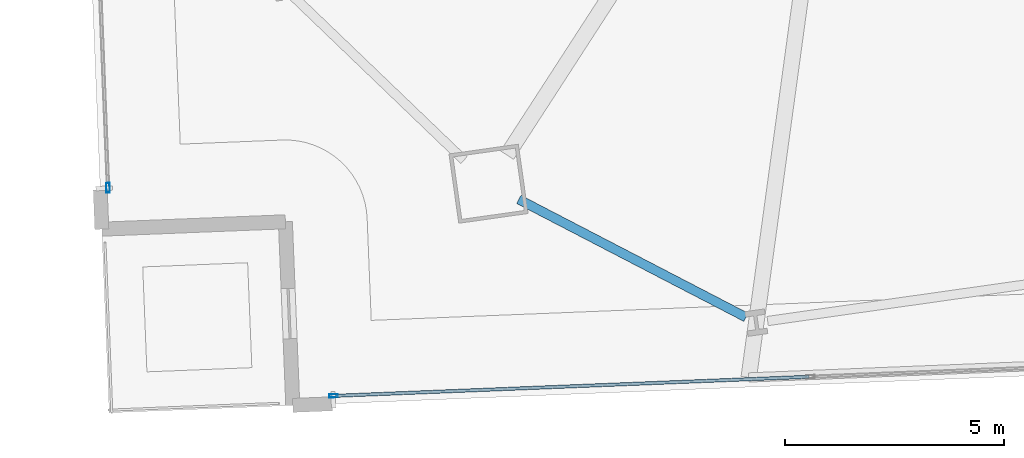
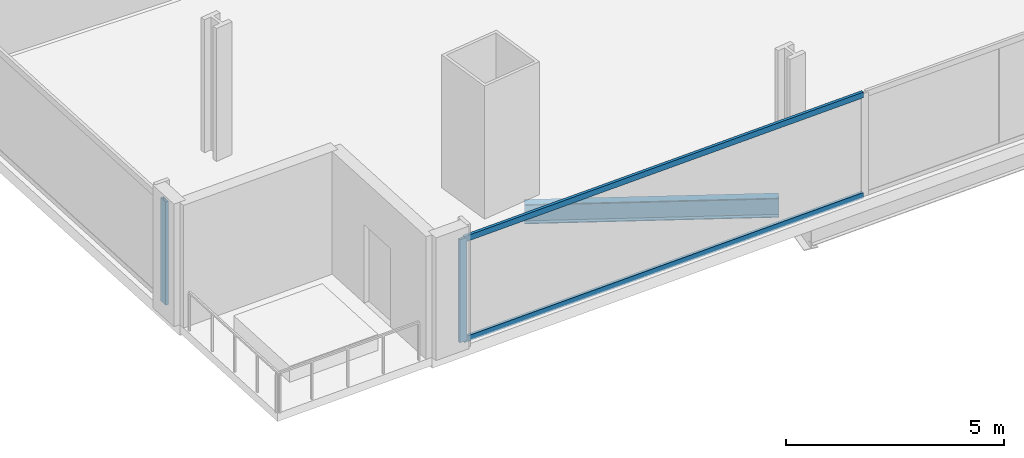
# One storey, part 2 of 32: 4 members, 1 beam, 2 elements without a shape of their own.
"""IFC4 building model written with IfcOpenShell, lengths in metres."""

import ifcopenshell
import ifcopenshell.guid

model = None  # the IFC model being written
_history = None  # IfcOwnerHistory: only IFC2X3 demands one
_inside = {}  # id of a spatial element -> (the spatial element, [elements in it])
_under = {}  # id of a project, library or spatial element -> (it, [spatial elements below it])
_declared = {}  # id of a project -> (the project, [libraries it declares])
_typed = {}  # id of a type object -> (the type object, [elements of that type])
_made_of = {}  # id of a material, layer set ... -> (it, [elements and type objects made of it])


def new_model(schema):
    """Start an empty IFC model of exactly this schema.

    Asked for "IFC4X3", IfcOpenShell would pick the latest addendum, in which some entities
    have other attributes; the version numbers below select the first issue.
    IFC2X3 requires an IfcOwnerHistory on every rooted entity: one is made here for all.
    """
    global model, _history
    if schema == "IFC4X3":
        model = ifcopenshell.file(schema_version=(4, 3, 0, 0))
    else:
        model = ifcopenshell.file(schema=schema)
    _inside.clear()
    _under.clear()
    _declared.clear()
    _typed.clear()
    _made_of.clear()
    _history = None
    if model.schema == "IFC2X3":
        org = make("IfcOrganization", Name="unknown")
        user = make(
            "IfcPersonAndOrganization",
            ThePerson=make("IfcPerson", FamilyName="unknown"),
            TheOrganization=org,
        )
        app = make(
            "IfcApplication",
            ApplicationDeveloper=org,
            Version="unknown",
            ApplicationFullName="unknown",
            ApplicationIdentifier="unknown",
        )
        _history = make(
            "IfcOwnerHistory",
            OwningUser=user,
            OwningApplication=app,
            ChangeAction="ADDED",
            CreationDate=0,
        )
    return model


def make(cls, **values):
    """One entity of the class cls with the attributes given. An attribute that is None is left unset."""
    return model.create_entity(
        cls, **{name: value for name, value in values.items() if value is not None}
    )


def rooted(cls, **values):
    """An entity with a GlobalId (a new one), such as an element, a storey or a relation."""
    return make(cls, GlobalId=ifcopenshell.guid.new(), OwnerHistory=_history, **values)


def si_unit(unit_type, name, prefix=None):
    """IfcSIUnit, for example si_unit("LENGTHUNIT", "METRE", prefix="MILLI")."""
    return make("IfcSIUnit", UnitType=unit_type, Prefix=prefix, Name=name)


def assignment(units):
    """IfcUnitAssignment: the units of a project."""
    return None if units is None else make("IfcUnitAssignment", Units=units)


def point(xyz):
    """IfcCartesianPoint."""
    return None if xyz is None else make("IfcCartesianPoint", Coordinates=xyz)


def direction(xyz):
    """IfcDirection."""
    return None if xyz is None else make("IfcDirection", DirectionRatios=xyz)


def frame(location, z_axis=None, x_axis=None):
    """IfcAxis2Placement3D, a coordinate frame: its origin and axes. An axis left out is left unset."""
    return make(
        "IfcAxis2Placement3D",
        Location=point(location),
        Axis=direction(z_axis),
        RefDirection=direction(x_axis),
    )


def frame_2d(location, x_axis=None):
    """IfcAxis2Placement2D, a coordinate frame in the plane: its origin and x axis."""
    return make(
        "IfcAxis2Placement2D", Location=point(location), RefDirection=direction(x_axis)
    )


def origin():
    """The frame at (0, 0, 0) with its axes left unset."""
    return frame((0.0, 0.0, 0.0))


def origin_2d():
    """The frame at (0, 0) in the plane with its x axis left unset."""
    return frame_2d((0.0, 0.0))


def place(relative_to, where):
    """IfcLocalPlacement: puts the frame where relative to a parent placement (None: the world)."""
    return make(
        "IfcLocalPlacement", PlacementRelTo=relative_to, RelativePlacement=where
    )


def context(
    kind, dimensions, precision=None, world=None, true_north=None, identifier=None
):
    """IfcGeometricRepresentationContext, for example the 3D "Model" context."""
    return make(
        "IfcGeometricRepresentationContext",
        ContextIdentifier=identifier,
        ContextType=kind,
        CoordinateSpaceDimension=dimensions,
        Precision=precision,
        WorldCoordinateSystem=world,
        TrueNorth=true_north,
    )


def subcontext(parent, identifier, kind, view, scale=None):
    """IfcGeometricRepresentationSubContext, for example "Body" below "Model"."""
    return make(
        "IfcGeometricRepresentationSubContext",
        ContextIdentifier=identifier,
        ContextType=kind,
        ParentContext=parent,
        TargetScale=scale,
        TargetView=view,
    )


def project(units=None, contexts=None):
    """IfcProject with its units and contexts."""
    return rooted(
        "IfcProject",
        Name="project",
        RepresentationContexts=contexts,
        UnitsInContext=assignment(units),
    )


def spatial(cls, under=None, at=None, **own):
    """A site, building, storey or space (cls), placed at a placement, below another one or the project."""
    s = rooted(cls, ObjectPlacement=at, **own)
    if under is not None:
        _under.setdefault(under.id(), (under, []))[1].append(s)
    return s


def profile(cls, at=None, kind="AREA", **sizes):
    """A parametric profile (cls). Its sizes go by their IFC names, for example OverallWidth=200.0."""
    return make(cls, ProfileType=kind, Position=at, **sizes)


def hollow_rectangle(**sizes):
    """IfcRectangleHollowProfileDef."""
    return profile("IfcRectangleHollowProfileDef", **sizes)


def i_section(**sizes):
    """IfcIShapeProfileDef."""
    return profile("IfcIShapeProfileDef", **sizes)


def extrude(swept, where, along, depth):
    """IfcExtrudedAreaSolid: the profile swept, set in the frame where, extruded along a direction by depth."""
    return make(
        "IfcExtrudedAreaSolid",
        SweptArea=swept,
        Position=where,
        ExtrudedDirection=direction(along),
        Depth=depth,
    )


def shape(context_of_items, identifier, shape_type, items):
    """IfcShapeRepresentation: the items that make up one representation, for example the "Body"."""
    return make(
        "IfcShapeRepresentation",
        ContextOfItems=context_of_items,
        RepresentationIdentifier=identifier,
        RepresentationType=shape_type,
        Items=items,
    )


def material(Name=None, Category=None):
    """IfcMaterial."""
    return make("IfcMaterial", Name=Name, Category=Category)


def material_profile(
    of_material, cross_section, Name=None, Category=None, Priority=None
):
    """IfcMaterialProfile: a cross section and its material."""
    return make(
        "IfcMaterialProfile",
        Name=Name,
        Material=of_material,
        Profile=cross_section,
        Priority=Priority,
        Category=Category,
    )


def profile_set(profiles, Name=None, composite=None):
    """IfcMaterialProfileSet."""
    return make(
        "IfcMaterialProfileSet",
        Name=Name,
        MaterialProfiles=profiles,
        CompositeProfile=composite,
    )


def made_of(thing, what):
    """Note that an element or type object is made of a material, layer set ...; save() writes the relation."""
    if what is not None:
        _made_of.setdefault(what.id(), (what, []))[1].append(thing)
    return thing


def type_object(cls, material=None, **own):
    """A type object (cls), such as IfcWallType, which elements share."""
    return made_of(rooted(cls, **own), material)


def element(
    cls,
    number,
    at=None,
    inside=None,
    cuts=None,
    type_object=None,
    material=None,
    context=None,
    identifier="Body",
    shape_type=None,
    held_by="IfcProductDefinitionShape",
    body=None,
    shapes=None,
    **own,
):
    """One element of the class cls, such as IfcWall. Its Tag is "e" and its number.

    at: its placement. inside: the storey or other place that contains it. cuts: it is an
    opening in that element (IfcRelVoidsElement). A single representation is given by context,
    identifier, shape_type and body (its items); several are given by shapes. held_by: the class
    of the entity that holds the representations. save() writes the other relations.
    """
    e = rooted(cls, Tag="e%d" % number, ObjectPlacement=at, **own)
    if body is not None:
        shapes = [shape(context, identifier, shape_type, body)]
    if shapes is not None:
        e.Representation = make(held_by, Representations=shapes)
    if inside is not None:
        _inside.setdefault(inside.id(), (inside, []))[1].append(e)
    if cuts is not None:
        rooted(
            "IfcRelVoidsElement", RelatingBuildingElement=cuts, RelatedOpeningElement=e
        )
    if type_object is not None:
        _typed.setdefault(type_object.id(), (type_object, []))[1].append(e)
    return made_of(e, material)


def aggregate(whole, parts):
    """IfcRelAggregates: a whole, such as a stair, and the parts it consists of."""
    return rooted("IfcRelAggregates", RelatingObject=whole, RelatedObjects=parts)


def save(model, path):
    """Write the relations noted so far, then the file.

    IfcRelAggregates (storeys below a building ...), IfcRelContainedInSpatialStructure (elements
    in a storey), IfcRelDefinesByType, IfcRelAssociatesMaterial and IfcRelDeclares: one each for
    every whole, place, type object, material and project.
    """
    for whole, parts in _under.values():
        aggregate(whole, parts)
    for where, things in _inside.values():
        rooted(
            "IfcRelContainedInSpatialStructure",
            RelatedElements=things,
            RelatingStructure=where,
        )
    for kind, things in _typed.values():
        rooted("IfcRelDefinesByType", RelatedObjects=things, RelatingType=kind)
    for what, things in _made_of.values():
        rooted("IfcRelAssociatesMaterial", RelatedObjects=things, RelatingMaterial=what)
    for by, libraries in _declared.values():
        rooted("IfcRelDeclares", RelatingContext=by, RelatedDefinitions=libraries)
    model.write(path)


model = new_model("IFC4")

# Units and contexts
model_context = context("Model", 3, precision=1e-05, world=origin(), true_north=direction((0.0, 1.0)))
body_context = subcontext(model_context, "Body", "Model", "MODEL_VIEW")
ifc_project = project(units=[si_unit("LENGTHUNIT", "METRE"), si_unit("AREAUNIT", "SQUARE_METRE"), si_unit("VOLUMEUNIT", "CUBIC_METRE"), si_unit("PLANEANGLEUNIT", "RADIAN"), si_unit("MASSUNIT", "GRAM", prefix="KILO")], contexts=[model_context])

# Site, building, storey
site_placement = place(None, origin())
site = spatial("IfcSite", under=ifc_project, at=site_placement, CompositionType="ELEMENT")
building_placement = place(site_placement, origin())
building = spatial("IfcBuilding", under=site, at=building_placement, Name="Haldenkirk Collegiate Tower", CompositionType="ELEMENT")
storey_placement = place(building_placement, frame((0.0, 0.0, 36.449951171875)))
storey = spatial("IfcBuildingStorey", under=building, at=storey_placement, Name="L07", CompositionType="ELEMENT", Elevation=36.449951171875)

# Beam
ifc_material_1 = material(Name="Steel ASTM A992 Grade 50", Category="steel")
ifc_material_profile_1 = material_profile(ifc_material_1, i_section(OverallWidth=0.2119140625, OverallDepth=0.5439453125, WebThickness=0.01318359375, FlangeThickness=0.021240234375, at=origin_2d()), Name="W21X83")
ifc_profile_set_1 = profile_set([ifc_material_profile_1], Name="Steel ASTM A992 Grade 50")
beam_type = type_object("IfcBeamType", Name="BM-SPANDREL-W21X83", PredefinedType="SPANDREL", material=ifc_profile_set_1)
beam_placement = place(storey_placement, frame((19.388671875, 4.8125, -0.58203125), z_axis=(0.887640153988, -0.460537682528, 0.0), x_axis=(0.460537682528, 0.887640153988, 0.0)))
element("IfcBeam", 1, at=beam_placement, inside=storey, type_object=beam_type, Name="L07 perimeter spandrel beam 01", PredefinedType="SPANDREL", context=body_context, shape_type="SweptSolid", body=[
    extrude(i_section(OverallWidth=0.2119140625, OverallDepth=0.5439453125, WebThickness=0.01318359375, FlangeThickness=0.021240234375, at=origin_2d()), origin(), (0.0, 0.0, 1.0), 5.848876953125),
])

# Curtain wall, member
ifc_material_2 = material(Name="Anodised architectural bronze aluminium", Category="aluminium")
curtain_wall_type_1 = type_object("IfcCurtainWallType", Name="CW-SYS2-CONCAVE", PredefinedType="USERDEFINED", material=ifc_material_2)
curtain_wall_1_placement = place(storey_placement, origin())
curtain_wall_1 = element("IfcCurtainWall", 2, at=curtain_wall_1_placement, inside=storey, type_object=curtain_wall_type_1, Name="L07 South concave recessed bronze-anodised curtain wall", ObjectType="UNITISED CURTAIN WALL", PredefinedType="USERDEFINED")
ifc_material_profile_2 = material_profile(ifc_material_2, hollow_rectangle(XDim=0.074951171875, YDim=0.18994140625, WallThickness=0.0048828125, at=origin_2d()), Name="CW-MUL-02")
ifc_profile_set_2 = profile_set([ifc_material_profile_2], Name="Anodised architectural bronze aluminium")
member_type_1 = type_object("IfcMemberType", Name="CW-MUL-02", PredefinedType="MULLION", material=ifc_profile_set_2)
member_1_placement = place(storey_placement, frame((15.1513671875, 0.322509765625, 0.0), z_axis=(0.0, 0.0, 1.0), x_axis=(0.040132523917, -0.999194365739, 0.0)))
member_1 = element("IfcMember", 3, at=member_1_placement, type_object=member_type_1, Name="CW-02 mullion 5", PredefinedType="MULLION", context=body_context, shape_type="SweptSolid", body=[
    extrude(hollow_rectangle(XDim=0.074951171875, YDim=0.18994140625, WallThickness=0.0048828125, at=origin_2d()), origin(), (0.0, 0.0, 1.0), 2.89111328125),
])

curtain_wall_type_2 = type_object("IfcCurtainWallType", Name="CW-SYS1-CONVEX-LOW", PredefinedType="USERDEFINED", material=ifc_material_2)
curtain_wall_2_placement = place(storey_placement, origin())
curtain_wall_2 = element("IfcCurtainWall", 4, at=curtain_wall_2_placement, inside=storey, type_object=curtain_wall_type_2, Name="L07 Lower tower convex bronze-framed unitised curtain wall", ObjectType="UNITISED CURTAIN WALL", PredefinedType="USERDEFINED")
ifc_material_profile_3 = material_profile(ifc_material_2, hollow_rectangle(XDim=0.080078125, YDim=0.219970703125, WallThickness=0.0048828125, at=origin_2d()), Name="CW-MUL-1A")
ifc_profile_set_3 = profile_set([ifc_material_profile_3], Name="Anodised architectural bronze aluminium")
member_type_2 = type_object("IfcMemberType", Name="CW-MUL-1A", PredefinedType="MULLION", material=ifc_profile_set_3)
member_2_placement = place(storey_placement, frame((9.998779296875, 5.07958984375, 0.0), z_axis=(0.0, 0.0, 1.0), x_axis=(-0.999194371406, -0.040132382816, 0.0)))
member_2 = element("IfcMember", 5, at=member_2_placement, type_object=member_type_2, Name="CW-1A mullion 1", PredefinedType="MULLION", context=body_context, shape_type="SweptSolid", body=[
    extrude(hollow_rectangle(XDim=0.080078125, YDim=0.219970703125, WallThickness=0.0048828125, at=origin_2d()), origin(), (0.0, 0.0, 1.0), 2.89111328125),
])
aggregate(curtain_wall_2, [member_2])

# Member
ifc_material_profile_4 = material_profile(ifc_material_2, hollow_rectangle(XDim=0.074951171875, YDim=0.159912109375, WallThickness=0.0048828125, at=origin_2d()), Name="CW-TRN-02")
ifc_profile_set_4 = profile_set([ifc_material_profile_4], Name="Anodised architectural bronze aluminium")
member_type_3 = type_object("IfcMemberType", Name="CW-TRN-02", PredefinedType="USERDEFINED", material=ifc_profile_set_4)
member_3_placement = place(storey_placement, frame((26.017578125, 0.759033203125, 0.03759765625), z_axis=(-0.999194829401, -0.04012097827, 0.0), x_axis=(0.04012097827, -0.999194829401, 0.0)))
member_3 = element("IfcMember", 6, at=member_3_placement, type_object=member_type_3, Name="CW-02 transom 4.1", ObjectType="TRANSOM", PredefinedType="USERDEFINED", context=body_context, shape_type="SweptSolid", body=[
    extrude(hollow_rectangle(XDim=0.074951171875, YDim=0.159912109375, WallThickness=0.0048828125, at=origin_2d()), origin(), (0.0, 0.0, 1.0), 10.837646484375),
])

member_4_placement = place(storey_placement, frame((26.017578125, 0.759033203125, 2.853515625), z_axis=(-0.999194829401, -0.04012097827, 0.0), x_axis=(0.04012097827, -0.999194829401, 0.0)))
member_4 = element("IfcMember", 7, at=member_4_placement, type_object=member_type_3, Name="CW-02 transom 4.2", ObjectType="TRANSOM", PredefinedType="USERDEFINED", context=body_context, shape_type="SweptSolid", body=[
    extrude(hollow_rectangle(XDim=0.074951171875, YDim=0.159912109375, WallThickness=0.0048828125, at=origin_2d()), origin(), (0.0, 0.0, 1.0), 10.837646484375),
])

aggregate(curtain_wall_1, [member_1, member_3, member_4])

save(model, "model.ifc")
